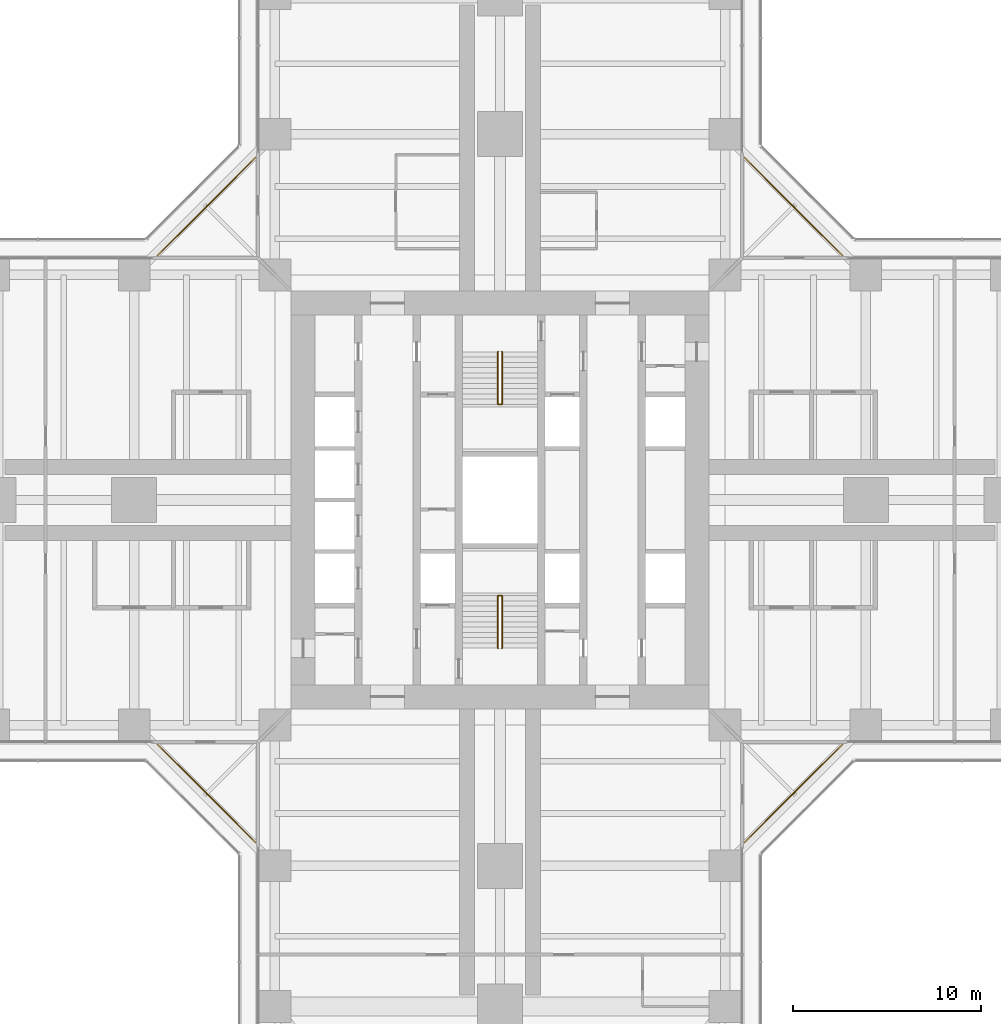
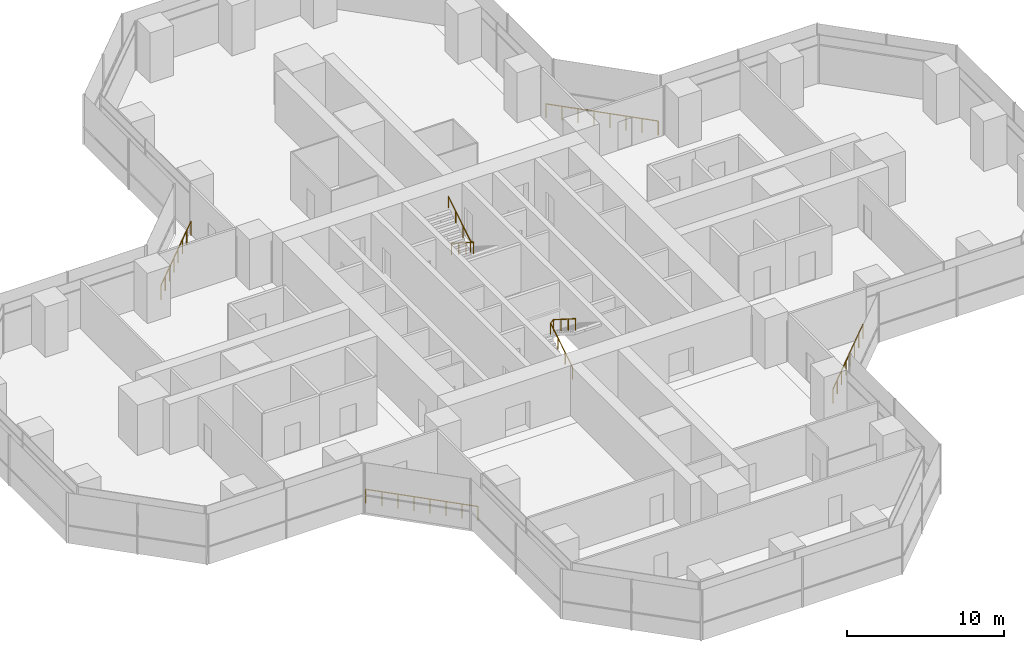
# One storey, part 22 of 22: 6 railings.
"""IFC4 building model written with IfcOpenShell, lengths in metres."""

from ifc_helpers import new_model, si_unit, direction, frame, origin, origin_2d, place, context, subcontext, project, spatial, circle, extrude, material, type_object, element, save


model = new_model("IFC4")

# Units and contexts
model_context = context("Model", 3, precision=1e-05, world=origin(), true_north=direction((0.0, 1.0)))
body_context = subcontext(model_context, "Body", "Model", "MODEL_VIEW")
ifc_project = project(units=[si_unit("LENGTHUNIT", "METRE"), si_unit("AREAUNIT", "SQUARE_METRE"), si_unit("VOLUMEUNIT", "CUBIC_METRE"), si_unit("PLANEANGLEUNIT", "RADIAN"), si_unit("MASSUNIT", "GRAM", prefix="KILO")], contexts=[model_context])

# Site, building, storey
site_placement = place(None, origin())
site = spatial("IfcSite", under=ifc_project, at=site_placement, CompositionType="ELEMENT")
building_placement = place(site_placement, origin())
building = spatial("IfcBuilding", under=site, at=building_placement, Name="Mizan Broadcast Tower", CompositionType="ELEMENT")
storey_placement = place(building_placement, frame((0.0, 0.0, 63.0)))
storey = spatial("IfcBuildingStorey", under=building, at=storey_placement, Name="L12", CompositionType="ELEMENT", Elevation=63.0)

# Railings
ifc_material_1 = material(Name="Stainless steel and glass guard", Category="steel")
railing_type_1 = type_object("IfcRailingType", Name="GUARD 1100", PredefinedType="GUARDRAIL", material=ifc_material_1)
railing_1_placement = place(storey_placement, frame((18.2578125, 13.030029296875, 0.0)))
element("IfcRailing", 1, at=railing_1_placement, inside=storey, type_object=railing_type_1, Name="Winter garden guard L12 E", PredefinedType="GUARDRAIL", context=body_context, shape_type="SweptSolid", body=[
    extrude(circle(Radius=0.02392578125, at=origin_2d()), frame((0.0, 0.0, 1.076171875), z_axis=(-0.707106781187, 0.707106781187, 0.0), x_axis=(-0.707106781187, -0.707106781187, 0.0)), (0.0, 0.0, 1.0), 7.393310546875),
    extrude(circle(Radius=0.02099609375, at=origin_2d()), origin(), (0.0, 0.0, 1.0), 1.052001953125),
    extrude(circle(Radius=0.02099609375, at=origin_2d()), frame((-0.746826171875, 0.746826171875, 0.0)), (0.0, 0.0, 1.0), 1.052001953125),
    extrude(circle(Radius=0.02099609375, at=origin_2d()), frame((-1.49365234375, 1.49365234375, 0.0)), (0.0, 0.0, 1.0), 1.052001953125),
    extrude(circle(Radius=0.02099609375, at=origin_2d()), frame((-2.240478515625, 2.240478515625, 0.0)), (0.0, 0.0, 1.0), 1.052001953125),
    extrude(circle(Radius=0.02099609375, at=origin_2d()), frame((-2.9873046875, 2.9873046875, 0.0)), (0.0, 0.0, 1.0), 1.052001953125),
    extrude(circle(Radius=0.02099609375, at=origin_2d()), frame((-3.734130859375, 3.734130859375, 0.0)), (0.0, 0.0, 1.0), 1.052001953125),
    extrude(circle(Radius=0.02099609375, at=origin_2d()), frame((-4.48095703125, 4.48095703125, 0.0)), (0.0, 0.0, 1.0), 1.052001953125),
    extrude(circle(Radius=0.02099609375, at=origin_2d()), frame((-5.227783203125, 5.227783203125, 0.0)), (0.0, 0.0, 1.0), 1.052001953125),
])
railing_2_placement = place(storey_placement, frame((-13.030029296875, 18.2578125, 0.0)))
element("IfcRailing", 2, at=railing_2_placement, inside=storey, type_object=railing_type_1, Name="Winter garden guard L12 N", PredefinedType="GUARDRAIL", context=body_context, shape_type="SweptSolid", body=[
    extrude(circle(Radius=0.02392578125, at=origin_2d()), frame((0.0, 0.0, 1.076171875), z_axis=(-0.707106781187, -0.707106781187, 0.0), x_axis=(0.707106781187, -0.707106781187, 0.0)), (0.0, 0.0, 1.0), 7.393310546875),
    extrude(circle(Radius=0.02099609375, at=origin_2d()), origin(), (0.0, 0.0, 1.0), 1.052001953125),
    extrude(circle(Radius=0.02099609375, at=origin_2d()), frame((-0.746826171875, -0.746826171875, 0.0)), (0.0, 0.0, 1.0), 1.052001953125),
    extrude(circle(Radius=0.02099609375, at=origin_2d()), frame((-1.49365234375, -1.49365234375, 0.0)), (0.0, 0.0, 1.0), 1.052001953125),
    extrude(circle(Radius=0.02099609375, at=origin_2d()), frame((-2.240478515625, -2.240478515625, 0.0)), (0.0, 0.0, 1.0), 1.052001953125),
    extrude(circle(Radius=0.02099609375, at=origin_2d()), frame((-2.9873046875, -2.9873046875, 0.0)), (0.0, 0.0, 1.0), 1.052001953125),
    extrude(circle(Radius=0.02099609375, at=origin_2d()), frame((-3.734130859375, -3.734130859375, 0.0)), (0.0, 0.0, 1.0), 1.052001953125),
    extrude(circle(Radius=0.02099609375, at=origin_2d()), frame((-4.48095703125, -4.48095703125, 0.0)), (0.0, 0.0, 1.0), 1.052001953125),
    extrude(circle(Radius=0.02099609375, at=origin_2d()), frame((-5.227783203125, -5.227783203125, 0.0)), (0.0, 0.0, 1.0), 1.052001953125),
])
railing_3_placement = place(storey_placement, frame((-18.2578125, -13.030029296875, 0.0)))
element("IfcRailing", 3, at=railing_3_placement, inside=storey, type_object=railing_type_1, Name="Winter garden guard L12 W", PredefinedType="GUARDRAIL", context=body_context, shape_type="SweptSolid", body=[
    extrude(circle(Radius=0.02392578125, at=origin_2d()), frame((0.0, 0.0, 1.076171875), z_axis=(0.707106781187, -0.707106781187, 0.0), x_axis=(0.707106781187, 0.707106781187, 0.0)), (0.0, 0.0, 1.0), 7.393310546875),
    extrude(circle(Radius=0.02099609375, at=origin_2d()), origin(), (0.0, 0.0, 1.0), 1.052001953125),
    extrude(circle(Radius=0.02099609375, at=origin_2d()), frame((0.746826171875, -0.746826171875, 0.0)), (0.0, 0.0, 1.0), 1.052001953125),
    extrude(circle(Radius=0.02099609375, at=origin_2d()), frame((1.49365234375, -1.49365234375, 0.0)), (0.0, 0.0, 1.0), 1.052001953125),
    extrude(circle(Radius=0.02099609375, at=origin_2d()), frame((2.240478515625, -2.240478515625, 0.0)), (0.0, 0.0, 1.0), 1.052001953125),
    extrude(circle(Radius=0.02099609375, at=origin_2d()), frame((2.9873046875, -2.9873046875, 0.0)), (0.0, 0.0, 1.0), 1.052001953125),
    extrude(circle(Radius=0.02099609375, at=origin_2d()), frame((3.734130859375, -3.734130859375, 0.0)), (0.0, 0.0, 1.0), 1.052001953125),
    extrude(circle(Radius=0.02099609375, at=origin_2d()), frame((4.48095703125, -4.48095703125, 0.0)), (0.0, 0.0, 1.0), 1.052001953125),
    extrude(circle(Radius=0.02099609375, at=origin_2d()), frame((5.227783203125, -5.227783203125, 0.0)), (0.0, 0.0, 1.0), 1.052001953125),
])
railing_4_placement = place(storey_placement, frame((13.030029296875, -18.2578125, 0.0)))
element("IfcRailing", 4, at=railing_4_placement, inside=storey, type_object=railing_type_1, Name="Winter garden guard L12 S", PredefinedType="GUARDRAIL", context=body_context, shape_type="SweptSolid", body=[
    extrude(circle(Radius=0.02392578125, at=origin_2d()), frame((0.0, 0.0, 1.076171875), z_axis=(0.707106781187, 0.707106781187, 0.0), x_axis=(-0.707106781187, 0.707106781187, 0.0)), (0.0, 0.0, 1.0), 7.393310546875),
    extrude(circle(Radius=0.02099609375, at=origin_2d()), origin(), (0.0, 0.0, 1.0), 1.052001953125),
    extrude(circle(Radius=0.02099609375, at=origin_2d()), frame((0.746826171875, 0.746826171875, 0.0)), (0.0, 0.0, 1.0), 1.052001953125),
    extrude(circle(Radius=0.02099609375, at=origin_2d()), frame((1.49365234375, 1.49365234375, 0.0)), (0.0, 0.0, 1.0), 1.052001953125),
    extrude(circle(Radius=0.02099609375, at=origin_2d()), frame((2.240478515625, 2.240478515625, 0.0)), (0.0, 0.0, 1.0), 1.052001953125),
    extrude(circle(Radius=0.02099609375, at=origin_2d()), frame((2.9873046875, 2.9873046875, 0.0)), (0.0, 0.0, 1.0), 1.052001953125),
    extrude(circle(Radius=0.02099609375, at=origin_2d()), frame((3.734130859375, 3.734130859375, 0.0)), (0.0, 0.0, 1.0), 1.052001953125),
    extrude(circle(Radius=0.02099609375, at=origin_2d()), frame((4.48095703125, 4.48095703125, 0.0)), (0.0, 0.0, 1.0), 1.052001953125),
    extrude(circle(Radius=0.02099609375, at=origin_2d()), frame((5.227783203125, 5.227783203125, 0.0)), (0.0, 0.0, 1.0), 1.052001953125),
])
ifc_material_2 = material(Name="Stainless steel", Category="steel")
railing_type_2 = type_object("IfcRailingType", Name="HANDRAIL 50", PredefinedType="HANDRAIL", material=ifc_material_2)
railing_5_placement = place(storey_placement, frame((-0.110107421875, -7.89990234375, 0.17724609375)))
element("IfcRailing", 5, at=railing_5_placement, inside=storey, type_object=railing_type_2, Name="Stair A handrail", PredefinedType="HANDRAIL", context=body_context, shape_type="SweptSolid", body=[
    extrude(circle(Radius=0.02392578125, at=origin_2d()), frame((0.0, 0.0, 0.8759765625), z_axis=(0.0, 0.844887892834, 0.53494340686), x_axis=(-1.0, 0.0, 0.0)), (0.0, 0.0, 1.0), 3.313720703125),
    extrude(circle(Radius=0.02392578125, at=origin_2d()), frame((0.0, 2.7998046875, 2.6484375), z_axis=(0.779011685263, 0.0, 0.627009405212), x_axis=(0.0, 1.0, 0.0)), (0.0, 0.0, 1.0), 0.28271484375),
    extrude(circle(Radius=0.02392578125, at=origin_2d()), frame((0.22021484375, 2.7998046875, 2.82568359375), z_axis=(0.0, -0.844887892834, 0.53494340686), x_axis=(1.0, 0.0, 0.0)), (0.0, 0.0, 1.0), 3.313720703125),
    extrude(circle(Radius=0.02099609375, at=origin_2d()), origin(), (0.0, 0.0, 1.0), 0.851806640625),
    extrude(circle(Radius=0.02099609375, at=origin_2d()), frame((0.0, 0.933349609375, 0.5908203125)), (0.0, 0.0, 1.0), 0.851806640625),
    extrude(circle(Radius=0.02099609375, at=origin_2d()), frame((0.0, 1.866455078125, 1.181884765625)), (0.0, 0.0, 1.0), 0.851806640625),
    extrude(circle(Radius=0.02099609375, at=origin_2d()), frame((0.0, 2.7998046875, 1.772705078125)), (0.0, 0.0, 1.0), 0.851806640625),
    extrude(circle(Radius=0.02099609375, at=origin_2d()), frame((0.22021484375, 2.7998046875, 1.949951171875)), (0.0, 0.0, 1.0), 0.851806640625),
    extrude(circle(Radius=0.02099609375, at=origin_2d()), frame((0.22021484375, 1.866455078125, 2.540771484375)), (0.0, 0.0, 1.0), 0.851806640625),
    extrude(circle(Radius=0.02099609375, at=origin_2d()), frame((0.22021484375, 0.933349609375, 3.1318359375)), (0.0, 0.0, 1.0), 0.851806640625),
    extrude(circle(Radius=0.02099609375, at=origin_2d()), frame((0.22021484375, 0.0, 3.72265625)), (0.0, 0.0, 1.0), 0.851806640625),
])
railing_6_placement = place(storey_placement, frame((0.110107421875, 7.89990234375, 0.17724609375)))
element("IfcRailing", 6, at=railing_6_placement, inside=storey, type_object=railing_type_2, Name="Stair B handrail", PredefinedType="HANDRAIL", context=body_context, shape_type="SweptSolid", body=[
    extrude(circle(Radius=0.02392578125, at=origin_2d()), frame((0.0, 0.0, 0.8759765625), z_axis=(0.0, -0.844887892834, 0.53494340686), x_axis=(1.0, 0.0, 0.0)), (0.0, 0.0, 1.0), 3.313720703125),
    extrude(circle(Radius=0.02392578125, at=origin_2d()), frame((0.0, -2.7998046875, 2.6484375), z_axis=(-0.779011685263, 0.0, 0.627009405212), x_axis=(0.0, -1.0, 0.0)), (0.0, 0.0, 1.0), 0.28271484375),
    extrude(circle(Radius=0.02392578125, at=origin_2d()), frame((-0.22021484375, -2.7998046875, 2.82568359375), z_axis=(0.0, 0.844887892834, 0.53494340686), x_axis=(-1.0, 0.0, 0.0)), (0.0, 0.0, 1.0), 3.313720703125),
    extrude(circle(Radius=0.02099609375, at=origin_2d()), origin(), (0.0, 0.0, 1.0), 0.851806640625),
    extrude(circle(Radius=0.02099609375, at=origin_2d()), frame((0.0, -0.933349609375, 0.5908203125)), (0.0, 0.0, 1.0), 0.851806640625),
    extrude(circle(Radius=0.02099609375, at=origin_2d()), frame((0.0, -1.866455078125, 1.181884765625)), (0.0, 0.0, 1.0), 0.851806640625),
    extrude(circle(Radius=0.02099609375, at=origin_2d()), frame((0.0, -2.7998046875, 1.772705078125)), (0.0, 0.0, 1.0), 0.851806640625),
    extrude(circle(Radius=0.02099609375, at=origin_2d()), frame((-0.22021484375, -2.7998046875, 1.949951171875)), (0.0, 0.0, 1.0), 0.851806640625),
    extrude(circle(Radius=0.02099609375, at=origin_2d()), frame((-0.22021484375, -1.866455078125, 2.540771484375)), (0.0, 0.0, 1.0), 0.851806640625),
    extrude(circle(Radius=0.02099609375, at=origin_2d()), frame((-0.22021484375, -0.933349609375, 3.1318359375)), (0.0, 0.0, 1.0), 0.851806640625),
    extrude(circle(Radius=0.02099609375, at=origin_2d()), frame((-0.22021484375, 0.0, 3.72265625)), (0.0, 0.0, 1.0), 0.851806640625),
])

save(model, "model.ifc")
